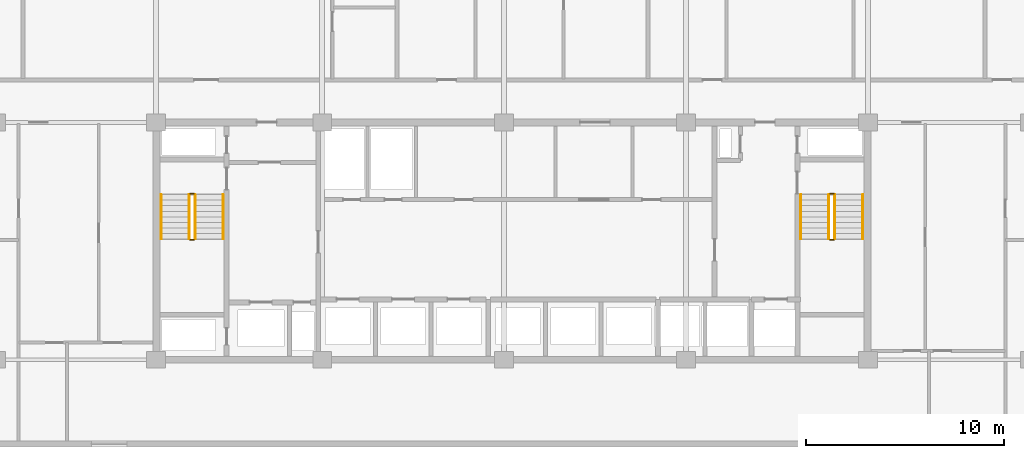
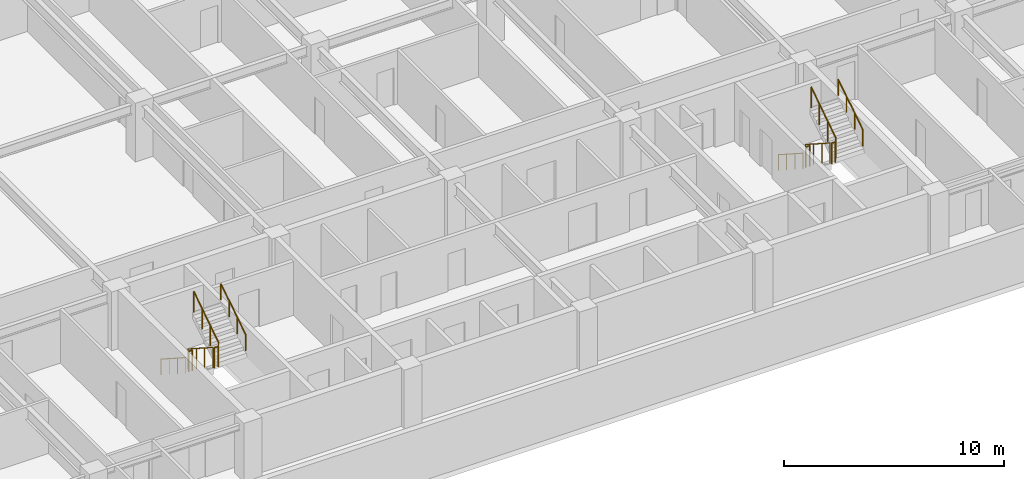
# One storey, part 21 of 22: 12 railings.
"""IFC4 building model written with IfcOpenShell, lengths in metres."""

from ifc_helpers import new_model, si_unit, direction, frame, origin, origin_2d, place, context, subcontext, project, spatial, circle, extrude, material, type_object, element, save


model = new_model("IFC4")

# Units and contexts
model_context = context("Model", 3, precision=1e-05, world=origin(), true_north=direction((0.0, 1.0)))
body_context = subcontext(model_context, "Body", "Model", "MODEL_VIEW")
ifc_project = project(units=[si_unit("LENGTHUNIT", "METRE"), si_unit("AREAUNIT", "SQUARE_METRE"), si_unit("VOLUMEUNIT", "CUBIC_METRE"), si_unit("PLANEANGLEUNIT", "RADIAN"), si_unit("MASSUNIT", "GRAM", prefix="KILO")], contexts=[model_context])

# Site, building, storey
site_placement = place(None, origin())
site = spatial("IfcSite", under=ifc_project, at=site_placement, CompositionType="ELEMENT")
building_placement = place(site_placement, origin())
building = spatial("IfcBuilding", under=site, at=building_placement, Name="Korimba Cascade Residences", CompositionType="ELEMENT")
storey_placement = place(building_placement, frame((0.0, 0.0, 87.300048828125)))
storey = spatial("IfcBuildingStorey", under=building, at=storey_placement, Name="L24", CompositionType="ELEMENT", Elevation=87.300048828125)

# Railings
ifc_material_1 = material(Name="Painted Steel Stairwell Guardrail", Category="steel")
railing_type_1 = type_object("IfcRailingType", Name="RLG-ST-GD1150", PredefinedType="GUARDRAIL", material=ifc_material_1)
railing_1_placement = place(storey_placement, frame((77.77001953125, 63.550048828125, 0.180419921875)))
element("IfcRailing", 1, at=railing_1_placement, inside=storey, type_object=railing_type_1, Name="L24 ST-W1 stair guard 1", PredefinedType="GUARDRAIL", context=body_context, shape_type="SweptSolid", body=[
    extrude(circle(Radius=0.02392578125, at=origin_2d()), frame((0.0, 0.0, 1.1259765625), z_axis=(0.0, -0.840394893359, 0.541974559565), x_axis=(1.0, 0.0, 0.0)), (0.0, 0.0, 1.0), 2.665283203125),
    extrude(circle(Radius=0.02099609375, at=origin_2d()), origin(), (0.0, 0.0, 1.0), 1.101806640625),
    extrude(circle(Radius=0.02099609375, at=origin_2d()), frame((0.0, -0.74658203125, 0.4814453125)), (0.0, 0.0, 1.0), 1.101806640625),
    extrude(circle(Radius=0.02099609375, at=origin_2d()), frame((0.0, -1.493408203125, 0.963134765625)), (0.0, 0.0, 1.0), 1.101806640625),
    extrude(circle(Radius=0.02099609375, at=origin_2d()), frame((0.0, -2.239990234375, 1.444580078125)), (0.0, 0.0, 1.0), 1.101806640625),
])
railing_2_placement = place(storey_placement, frame((77.820068359375, 61.260009765625, 1.625)))
element("IfcRailing", 2, at=railing_2_placement, inside=storey, type_object=railing_type_1, Name="L24 ST-W1 stair guard 2", PredefinedType="GUARDRAIL", context=body_context, shape_type="SweptSolid", body=[
    extrude(circle(Radius=0.02392578125, at=origin_2d()), frame((0.0, 0.0, 1.1259765625), z_axis=(1.0, 0.0, 0.0), x_axis=(0.0, 1.0, 0.0)), (0.0, 0.0, 1.0), 0.199951171875),
    extrude(circle(Radius=0.02099609375, at=origin_2d()), origin(), (0.0, 0.0, 1.0), 1.101806640625),
    extrude(circle(Radius=0.02099609375, at=origin_2d()), frame((0.199951171875, 0.0, 0.0)), (0.0, 0.0, 1.0), 1.101806640625),
])
railing_3_placement = place(storey_placement, frame((78.070068359375, 61.31005859375, 1.805419921875)))
element("IfcRailing", 3, at=railing_3_placement, inside=storey, type_object=railing_type_1, Name="L24 ST-W1 stair guard 3", PredefinedType="GUARDRAIL", context=body_context, shape_type="SweptSolid", body=[
    extrude(circle(Radius=0.02392578125, at=origin_2d()), frame((0.0, 0.0, 1.1259765625), z_axis=(0.0, 0.840394893359, 0.541974559565), x_axis=(-1.0, 0.0, 0.0)), (0.0, 0.0, 1.0), 2.665283203125),
    extrude(circle(Radius=0.02099609375, at=origin_2d()), origin(), (0.0, 0.0, 1.0), 1.101806640625),
    extrude(circle(Radius=0.02099609375, at=origin_2d()), frame((0.0, 0.74658203125, 0.4814453125)), (0.0, 0.0, 1.0), 1.101806640625),
    extrude(circle(Radius=0.02099609375, at=origin_2d()), frame((0.0, 1.493408203125, 0.963134765625)), (0.0, 0.0, 1.0), 1.101806640625),
    extrude(circle(Radius=0.02099609375, at=origin_2d()), frame((0.0, 2.239990234375, 1.444580078125)), (0.0, 0.0, 1.0), 1.101806640625),
])
railing_4_placement = place(storey_placement, frame((77.820068359375, 63.60009765625, 0.0)))
element("IfcRailing", 4, at=railing_4_placement, inside=storey, type_object=railing_type_1, Name="L24 ST-W1 stair guard 4", PredefinedType="GUARDRAIL", context=body_context, shape_type="SweptSolid", body=[
    extrude(circle(Radius=0.02392578125, at=origin_2d()), frame((0.0, 0.0, 1.1259765625), z_axis=(1.0, 0.0, 0.0), x_axis=(0.0, 1.0, 0.0)), (0.0, 0.0, 1.0), 0.199951171875),
    extrude(circle(Radius=0.02099609375, at=origin_2d()), origin(), (0.0, 0.0, 1.0), 1.101806640625),
    extrude(circle(Radius=0.02099609375, at=origin_2d()), frame((0.199951171875, 0.0, 0.0)), (0.0, 0.0, 1.0), 1.101806640625),
])
railing_5_placement = place(storey_placement, frame((110.1298828125, 63.550048828125, 0.180419921875)))
element("IfcRailing", 5, at=railing_5_placement, inside=storey, type_object=railing_type_1, Name="L24 ST-W2 stair guard 1", PredefinedType="GUARDRAIL", context=body_context, shape_type="SweptSolid", body=[
    extrude(circle(Radius=0.02392578125, at=origin_2d()), frame((0.0, 0.0, 1.1259765625), z_axis=(0.0, -0.840394893359, 0.541974559565), x_axis=(1.0, 0.0, 0.0)), (0.0, 0.0, 1.0), 2.665283203125),
    extrude(circle(Radius=0.02099609375, at=origin_2d()), origin(), (0.0, 0.0, 1.0), 1.101806640625),
    extrude(circle(Radius=0.02099609375, at=origin_2d()), frame((0.0, -0.74658203125, 0.4814453125)), (0.0, 0.0, 1.0), 1.101806640625),
    extrude(circle(Radius=0.02099609375, at=origin_2d()), frame((0.0, -1.493408203125, 0.963134765625)), (0.0, 0.0, 1.0), 1.101806640625),
    extrude(circle(Radius=0.02099609375, at=origin_2d()), frame((0.0, -2.239990234375, 1.444580078125)), (0.0, 0.0, 1.0), 1.101806640625),
])
railing_6_placement = place(storey_placement, frame((110.179931640625, 61.260009765625, 1.625)))
element("IfcRailing", 6, at=railing_6_placement, inside=storey, type_object=railing_type_1, Name="L24 ST-W2 stair guard 2", PredefinedType="GUARDRAIL", context=body_context, shape_type="SweptSolid", body=[
    extrude(circle(Radius=0.02392578125, at=origin_2d()), frame((0.0, 0.0, 1.1259765625), z_axis=(1.0, 0.0, 0.0), x_axis=(0.0, 1.0, 0.0)), (0.0, 0.0, 1.0), 0.199951171875),
    extrude(circle(Radius=0.02099609375, at=origin_2d()), origin(), (0.0, 0.0, 1.0), 1.101806640625),
    extrude(circle(Radius=0.02099609375, at=origin_2d()), frame((0.199951171875, 0.0, 0.0)), (0.0, 0.0, 1.0), 1.101806640625),
])
railing_7_placement = place(storey_placement, frame((110.429931640625, 61.31005859375, 1.805419921875)))
element("IfcRailing", 7, at=railing_7_placement, inside=storey, type_object=railing_type_1, Name="L24 ST-W2 stair guard 3", PredefinedType="GUARDRAIL", context=body_context, shape_type="SweptSolid", body=[
    extrude(circle(Radius=0.02392578125, at=origin_2d()), frame((0.0, 0.0, 1.1259765625), z_axis=(0.0, 0.840394893359, 0.541974559565), x_axis=(-1.0, 0.0, 0.0)), (0.0, 0.0, 1.0), 2.665283203125),
    extrude(circle(Radius=0.02099609375, at=origin_2d()), origin(), (0.0, 0.0, 1.0), 1.101806640625),
    extrude(circle(Radius=0.02099609375, at=origin_2d()), frame((0.0, 0.74658203125, 0.4814453125)), (0.0, 0.0, 1.0), 1.101806640625),
    extrude(circle(Radius=0.02099609375, at=origin_2d()), frame((0.0, 1.493408203125, 0.963134765625)), (0.0, 0.0, 1.0), 1.101806640625),
    extrude(circle(Radius=0.02099609375, at=origin_2d()), frame((0.0, 2.239990234375, 1.444580078125)), (0.0, 0.0, 1.0), 1.101806640625),
])
railing_8_placement = place(storey_placement, frame((110.179931640625, 63.60009765625, 0.0)))
element("IfcRailing", 8, at=railing_8_placement, inside=storey, type_object=railing_type_1, Name="L24 ST-W2 stair guard 4", PredefinedType="GUARDRAIL", context=body_context, shape_type="SweptSolid", body=[
    extrude(circle(Radius=0.02392578125, at=origin_2d()), frame((0.0, 0.0, 1.1259765625), z_axis=(1.0, 0.0, 0.0), x_axis=(0.0, 1.0, 0.0)), (0.0, 0.0, 1.0), 0.199951171875),
    extrude(circle(Radius=0.02099609375, at=origin_2d()), origin(), (0.0, 0.0, 1.0), 1.101806640625),
    extrude(circle(Radius=0.02099609375, at=origin_2d()), frame((0.199951171875, 0.0, 0.0)), (0.0, 0.0, 1.0), 1.101806640625),
])
ifc_material_2 = material(Name="Brushed Stainless Steel Handrail", Category="steel")
railing_type_2 = type_object("IfcRailingType", Name="RLG-ST-HR900", PredefinedType="HANDRAIL", material=ifc_material_2)
railing_9_placement = place(storey_placement, frame((76.35009765625, 63.550048828125, 0.364990234375)))
element("IfcRailing", 9, at=railing_9_placement, inside=storey, type_object=railing_type_2, Name="L24 ST-W1 stair handrail 1", PredefinedType="HANDRAIL", context=body_context, shape_type="SweptSolid", body=[
    extrude(circle(Radius=0.02392578125, at=origin_2d()), frame((0.0, 0.0, 0.8759765625), z_axis=(0.0, -0.840436612492, 0.541909863706), x_axis=(1.0, 0.0, 0.0)), (0.0, 0.0, 1.0), 2.665283203125),
    extrude(circle(Radius=0.02099609375, at=origin_2d()), origin(), (0.0, 0.0, 1.0), 0.851806640625),
    extrude(circle(Radius=0.02099609375, at=origin_2d()), frame((0.0, -0.74658203125, 0.4814453125)), (0.0, 0.0, 1.0), 0.851806640625),
    extrude(circle(Radius=0.02099609375, at=origin_2d()), frame((0.0, -1.493408203125, 0.962890625)), (0.0, 0.0, 1.0), 0.851806640625),
    extrude(circle(Radius=0.02099609375, at=origin_2d()), frame((0.0, -2.239990234375, 1.4443359375)), (0.0, 0.0, 1.0), 0.851806640625),
])
railing_10_placement = place(storey_placement, frame((79.489990234375, 61.31005859375, 1.989990234375)))
element("IfcRailing", 10, at=railing_10_placement, inside=storey, type_object=railing_type_2, Name="L24 ST-W1 stair handrail 2", PredefinedType="HANDRAIL", context=body_context, shape_type="SweptSolid", body=[
    extrude(circle(Radius=0.02392578125, at=origin_2d()), frame((0.0, 0.0, 0.8759765625), z_axis=(0.0, 0.840436612492, 0.541909863706), x_axis=(-1.0, 0.0, 0.0)), (0.0, 0.0, 1.0), 2.665283203125),
    extrude(circle(Radius=0.02099609375, at=origin_2d()), origin(), (0.0, 0.0, 1.0), 0.851806640625),
    extrude(circle(Radius=0.02099609375, at=origin_2d()), frame((0.0, 0.74658203125, 0.4814453125)), (0.0, 0.0, 1.0), 0.851806640625),
    extrude(circle(Radius=0.02099609375, at=origin_2d()), frame((0.0, 1.493408203125, 0.962890625)), (0.0, 0.0, 1.0), 0.851806640625),
    extrude(circle(Radius=0.02099609375, at=origin_2d()), frame((0.0, 2.239990234375, 1.4443359375)), (0.0, 0.0, 1.0), 0.851806640625),
])
railing_11_placement = place(storey_placement, frame((108.7099609375, 63.550048828125, 0.364990234375)))
element("IfcRailing", 11, at=railing_11_placement, inside=storey, type_object=railing_type_2, Name="L24 ST-W2 stair handrail 1", PredefinedType="HANDRAIL", context=body_context, shape_type="SweptSolid", body=[
    extrude(circle(Radius=0.02392578125, at=origin_2d()), frame((0.0, 0.0, 0.8759765625), z_axis=(0.0, -0.840436612492, 0.541909863706), x_axis=(1.0, 0.0, 0.0)), (0.0, 0.0, 1.0), 2.665283203125),
    extrude(circle(Radius=0.02099609375, at=origin_2d()), origin(), (0.0, 0.0, 1.0), 0.851806640625),
    extrude(circle(Radius=0.02099609375, at=origin_2d()), frame((0.0, -0.74658203125, 0.4814453125)), (0.0, 0.0, 1.0), 0.851806640625),
    extrude(circle(Radius=0.02099609375, at=origin_2d()), frame((0.0, -1.493408203125, 0.962890625)), (0.0, 0.0, 1.0), 0.851806640625),
    extrude(circle(Radius=0.02099609375, at=origin_2d()), frame((0.0, -2.239990234375, 1.4443359375)), (0.0, 0.0, 1.0), 0.851806640625),
])
railing_12_placement = place(storey_placement, frame((111.85009765625, 61.31005859375, 1.989990234375)))
element("IfcRailing", 12, at=railing_12_placement, inside=storey, type_object=railing_type_2, Name="L24 ST-W2 stair handrail 2", PredefinedType="HANDRAIL", context=body_context, shape_type="SweptSolid", body=[
    extrude(circle(Radius=0.02392578125, at=origin_2d()), frame((0.0, 0.0, 0.8759765625), z_axis=(0.0, 0.840436612492, 0.541909863706), x_axis=(-1.0, 0.0, 0.0)), (0.0, 0.0, 1.0), 2.665283203125),
    extrude(circle(Radius=0.02099609375, at=origin_2d()), origin(), (0.0, 0.0, 1.0), 0.851806640625),
    extrude(circle(Radius=0.02099609375, at=origin_2d()), frame((0.0, 0.74658203125, 0.4814453125)), (0.0, 0.0, 1.0), 0.851806640625),
    extrude(circle(Radius=0.02099609375, at=origin_2d()), frame((0.0, 1.493408203125, 0.962890625)), (0.0, 0.0, 1.0), 0.851806640625),
    extrude(circle(Radius=0.02099609375, at=origin_2d()), frame((0.0, 2.239990234375, 1.4443359375)), (0.0, 0.0, 1.0), 0.851806640625),
])

save(model, "model.ifc")
